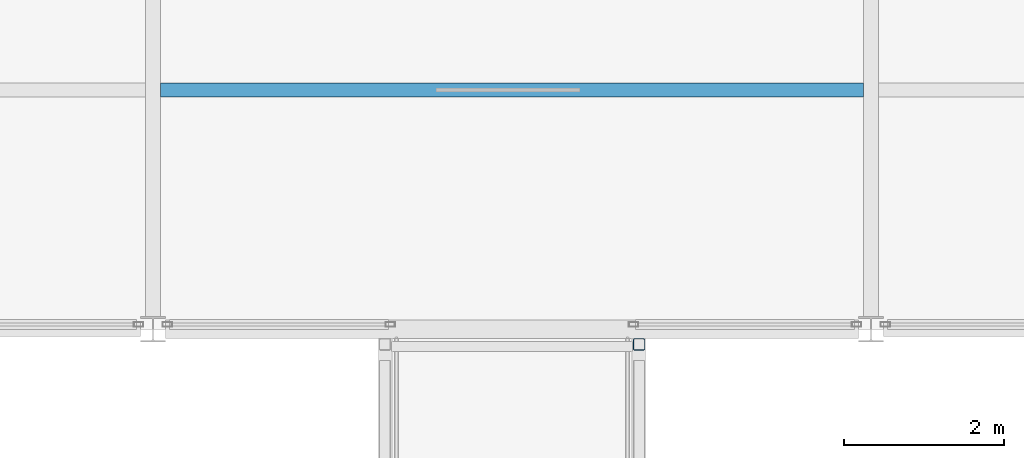
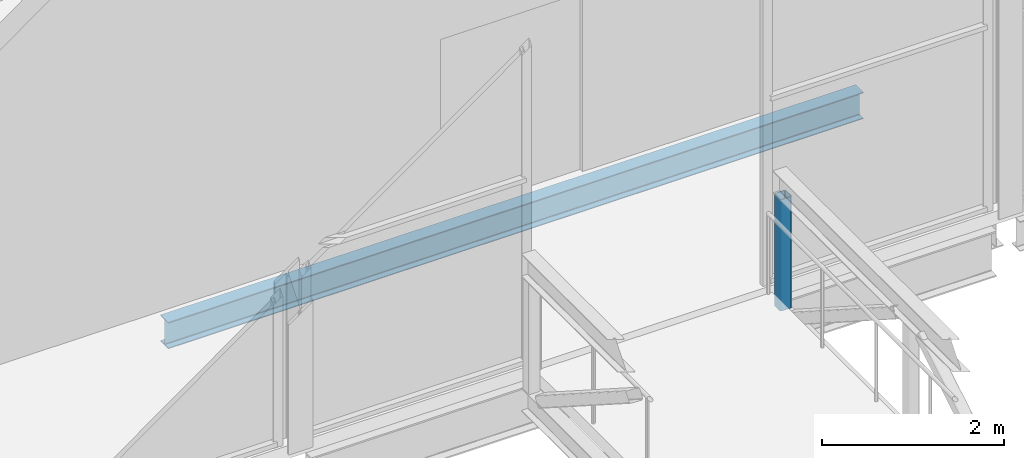
# One storey, part 49 of 111: 1 beam, 1 member.
"""IFC4 building model written with IfcOpenShell, lengths in metres."""

from ifc_helpers import new_model, si_unit, direction, frame, origin, origin_2d, place, context, subcontext, project, spatial, hollow_rectangle, i_section, extrude, material, material_profile, profile_set, type_object, element, save


model = new_model("IFC4")

# Units and contexts
model_context = context("Model", 3, precision=1e-05, world=origin(), true_north=direction((0.0, 1.0)))
body_context = subcontext(model_context, "Body", "Model", "MODEL_VIEW")
ifc_project = project(units=[si_unit("LENGTHUNIT", "METRE"), si_unit("AREAUNIT", "SQUARE_METRE"), si_unit("VOLUMEUNIT", "CUBIC_METRE"), si_unit("PLANEANGLEUNIT", "RADIAN"), si_unit("MASSUNIT", "GRAM", prefix="KILO")], contexts=[model_context])

# Site, building, storey
site_placement = place(None, origin())
site = spatial("IfcSite", under=ifc_project, at=site_placement, CompositionType="ELEMENT")
building_placement = place(site_placement, origin())
building = spatial("IfcBuilding", under=site, at=building_placement, Name="Shorebreak Coast Museum", CompositionType="ELEMENT")
storey_placement = place(building_placement, frame((0.0, 0.0, 16.0)))
storey = spatial("IfcBuildingStorey", under=building, at=storey_placement, Name="L03", CompositionType="ELEMENT", Elevation=16.0)

# Member
ifc_material_1 = material(Name="Steel Grade C450L0", Category="steel")
ifc_material_profile_1 = material_profile(ifc_material_1, hollow_rectangle(XDim=0.14990234375, YDim=0.14990234375, WallThickness=0.009033203125, InnerFilletRadius=0.013427734375, OuterFilletRadius=0.0224609375, at=origin_2d()), Name="150x150x9.0 SHS")
ifc_profile_set_1 = profile_set([ifc_material_profile_1], Name="Steel Grade C450L0")
member_type = type_object("IfcMemberType", Name="Atrium bridge truss strut 150x150x9.0 SHS", PredefinedType="STRUT", material=ifc_profile_set_1)
member_placement = place(storey_placement, frame((87.093017578125, 80.810546875, -0.175048828125), z_axis=(0.0, 0.0, 1.0), x_axis=(1.0, 0.0, 0.0)))
element("IfcMember", 1, at=member_placement, inside=storey, type_object=member_type, Name="Atrium bridge truss BR2 side A strut V07", PredefinedType="STRUT", context=body_context, shape_type="SweptSolid", body=[
    extrude(hollow_rectangle(XDim=0.14990234375, YDim=0.14990234375, WallThickness=0.009033203125, InnerFilletRadius=0.013427734375, OuterFilletRadius=0.0224609375, at=origin_2d()), origin(), (0.0, 0.0, 1.0), 1.492919921875),
])

# Beam
ifc_material_2 = material(Name="Steel Grade 300", Category="steel")
ifc_material_profile_2 = material_profile(ifc_material_2, i_section(OverallWidth=0.1708984375, OverallDepth=0.355712890625, WebThickness=0.00732421875, FlangeThickness=0.011474609375, FilletRadius=0.011474609375, at=origin_2d()), Name="360UB50.7")
ifc_profile_set_2 = profile_set([ifc_material_profile_2], Name="Steel Grade 300")
beam_type = type_object("IfcBeamType", Name="Floor joist 360UB50.7", PredefinedType="JOIST", material=ifc_profile_set_2)
beam_placement = place(storey_placement, frame((81.094970703125, 84.0, -0.352783203125), z_axis=(1.0, 0.0, 0.0), x_axis=(0.0, 1.0, 0.0)))
element("IfcBeam", 2, at=beam_placement, inside=storey, type_object=beam_type, Name="Floor joist L03 bay 10K at 3000 mm", PredefinedType="JOIST", context=body_context, shape_type="SweptSolid", body=[
    extrude(i_section(OverallWidth=0.1708984375, OverallDepth=0.355712890625, WebThickness=0.00732421875, FlangeThickness=0.011474609375, FilletRadius=0.011474609375, at=origin_2d()), origin(), (0.0, 0.0, 1.0), 8.81005859375),
])

save(model, "model.ifc")
